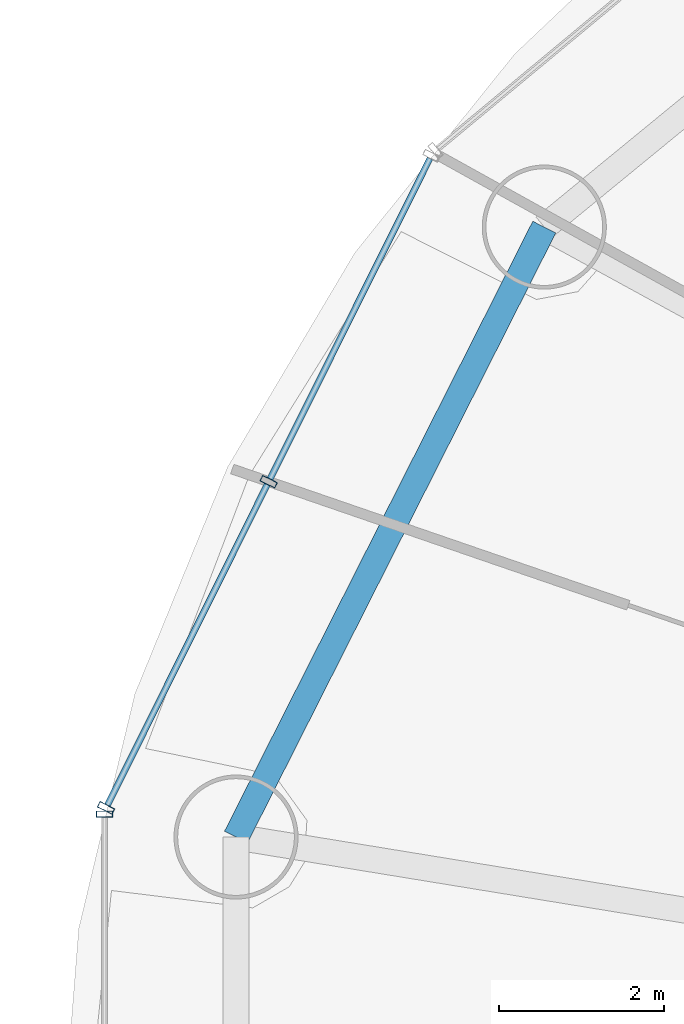
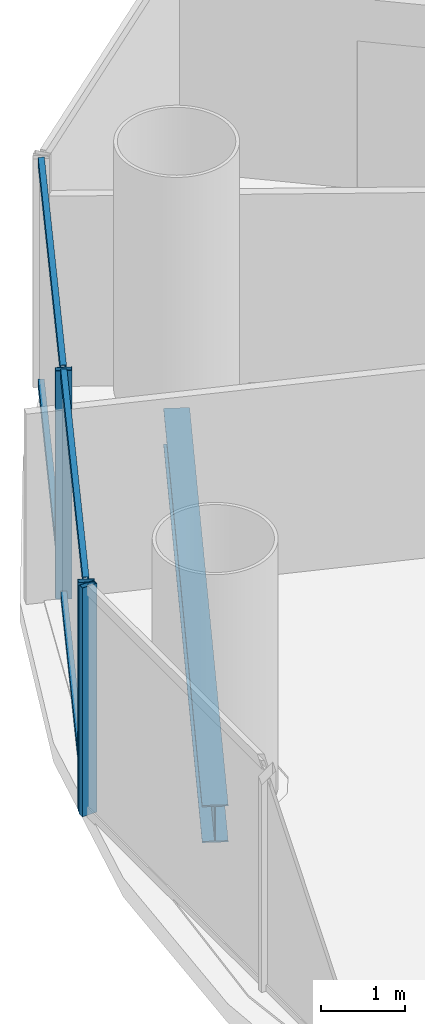
# One storey, part 9 of 29: 7 members, 1 beam, 2 elements without a shape of their own.
"""IFC4 building model written with IfcOpenShell, lengths in metres."""

from ifc_helpers import new_model, si_unit, direction, frame, origin, origin_2d, place, context, subcontext, project, spatial, hollow_rectangle, i_section, extrude, source, transform, mapped, material, material_profile, profile_set, type_object, element, aggregate, save


model = new_model("IFC4")

# Units and contexts
model_context = context("Model", 3, precision=1e-05, world=origin(), true_north=direction((-0.2419218956, 0.970295726276)))
body_context = subcontext(model_context, "Body", "Model", "MODEL_VIEW")
ifc_project = project(units=[si_unit("LENGTHUNIT", "METRE"), si_unit("AREAUNIT", "SQUARE_METRE"), si_unit("VOLUMEUNIT", "CUBIC_METRE"), si_unit("PLANEANGLEUNIT", "RADIAN"), si_unit("MASSUNIT", "GRAM", prefix="KILO")], contexts=[model_context])

# Site, building, storey
site_placement = place(None, origin())
site = spatial("IfcSite", under=ifc_project, at=site_placement, CompositionType="ELEMENT")
building_placement = place(site_placement, origin())
building = spatial("IfcBuilding", under=site, at=building_placement, Name="Cobrevalo Terracotta Tower", CompositionType="ELEMENT")
storey_placement = place(building_placement, frame((0.0, 0.0, 83.39990234375)))
storey = spatial("IfcBuildingStorey", under=building, at=storey_placement, Name="L21", CompositionType="ELEMENT", Elevation=83.39990234375)

# Beam
ifc_material_1 = material(Name="Steel S355", Category="steel")
ifc_material_profile_1 = material_profile(ifc_material_1, i_section(OverallWidth=0.31201171875, OverallDepth=0.54296875, WebThickness=0.0126953125, FlangeThickness=0.020263671875, at=origin_2d()), Name="W 530x150")
ifc_profile_set_1 = profile_set([ifc_material_profile_1], Name="Steel S355")
beam_type = type_object("IfcBeamType", Name="Structural Spandrel W 530x150 (Steel S355)", PredefinedType="SPANDREL", material=ifc_profile_set_1)
beam_placement = place(storey_placement, frame((17.2548828125, 38.161376953125, -0.54638671875), z_axis=(-0.451051982172, -0.892497680321, 0.0), x_axis=(0.892497680321, -0.451051982172, 0.0)))
element("IfcBeam", 1, at=beam_placement, inside=storey, type_object=beam_type, Name="L21 perimeter ring spandrel 07", PredefinedType="SPANDREL", context=body_context, shape_type="SweptSolid", body=[
    extrude(i_section(OverallWidth=0.31201171875, OverallDepth=0.54296875, WebThickness=0.0126953125, FlangeThickness=0.020263671875, at=origin_2d()), origin(), (0.0, 0.0, 1.0), 8.259765625),
])

# Curtain wall, members
ifc_material_2 = material(Name="Anodized aluminium", Category="aluminium")
curtain_wall_type = type_object("IfcCurtainWallType", Name="Lower-tower unitised acoustic low-E curtain wall CW-U1", PredefinedType="NOTDEFINED", material=ifc_material_2)
curtain_wall_1_placement = place(storey_placement, origin())
curtain_wall_1 = element("IfcCurtainWall", 2, at=curtain_wall_1_placement, inside=storey, type_object=curtain_wall_type, Name="L21 curtain wall CW-L21-S07", PredefinedType="NOTDEFINED")
ifc_material_profile_2 = material_profile(ifc_material_2, hollow_rectangle(XDim=0.074951171875, YDim=0.14990234375, WallThickness=0.00439453125, at=origin_2d()), Name="CWT 75x150")
ifc_profile_set_2 = profile_set([ifc_material_profile_2], Name="Anodized aluminium")
member_type_1 = type_object("IfcMemberType", Name="Tower unitised aluminium transom 75x150", PredefinedType="USERDEFINED", material=ifc_profile_set_2)
shared_shape_1 = source(origin(), body_context, "Body", "SweptSolid", [
    extrude(hollow_rectangle(XDim=0.074951171875, YDim=0.14990234375, WallThickness=0.00439453125, at=origin_2d()), origin(), (0.0, 0.0, 1.0), 4.324951171875),
])
member_1_placement = place(storey_placement, frame((15.8720703125, 38.98974609375, 0.050048828125), z_axis=(-0.44624238083, -0.894912139571, 0.0), x_axis=(0.894912139571, -0.44624238083, 0.0)))
member_1 = element("IfcMember", 3, at=member_1_placement, type_object=member_type_1, Name="CW-L21-S07 transom B01-T1", ObjectType="TRANSOM", PredefinedType="USERDEFINED", context=body_context, shape_type="MappedRepresentation", body=[
    mapped(shared_shape_1, transform((0.0, 0.0, 0.0), scale=1.0)),
])
member_2_placement = place(storey_placement, frame((15.8720703125, 38.98974609375, 3.275146484375), z_axis=(-0.44624238083, -0.894912139571, 0.0), x_axis=(0.894912139571, -0.44624238083, 0.0)))
member_2 = element("IfcMember", 4, at=member_2_placement, type_object=member_type_1, Name="CW-L21-S07 transom B01-T2", ObjectType="TRANSOM", PredefinedType="USERDEFINED", context=body_context, shape_type="MappedRepresentation", body=[
    mapped(shared_shape_1, transform((0.0, 0.0, 0.0), scale=1.0)),
])
member_3_placement = place(storey_placement, frame((13.90625, 35.0478515625, 0.050048828125), z_axis=(-0.446219838389, -0.894923379864, 0.0), x_axis=(0.894923379864, -0.446219838389, 0.0)))
member_3 = element("IfcMember", 5, at=member_3_placement, type_object=member_type_1, Name="CW-L21-S07 transom B02-T1", ObjectType="TRANSOM", PredefinedType="USERDEFINED", context=body_context, shape_type="MappedRepresentation", body=[
    mapped(shared_shape_1, transform((0.0, 0.0, 0.0), scale=1.0)),
])
member_4_placement = place(storey_placement, frame((13.90625, 35.0478515625, 3.275146484375), z_axis=(-0.446219838389, -0.894923379864, 0.0), x_axis=(0.894923379864, -0.446219838389, 0.0)))
member_4 = element("IfcMember", 6, at=member_4_placement, type_object=member_type_1, Name="CW-L21-S07 transom B02-T2", ObjectType="TRANSOM", PredefinedType="USERDEFINED", context=body_context, shape_type="MappedRepresentation", body=[
    mapped(shared_shape_1, transform((0.0, 0.0, 0.0), scale=1.0)),
])
ifc_material_profile_3 = material_profile(ifc_material_2, hollow_rectangle(XDim=0.074951171875, YDim=0.199951171875, WallThickness=0.0048828125, at=origin_2d()), Name="CWM 75x200")
ifc_profile_set_3 = profile_set([ifc_material_profile_3], Name="Anodized aluminium")
member_type_2 = type_object("IfcMemberType", Name="Lower/mid tower unitised mullion 75x200", PredefinedType="MULLION", material=ifc_profile_set_3)
shared_shape_2 = source(origin(), body_context, "Body", "SweptSolid", [
    extrude(hollow_rectangle(XDim=0.074951171875, YDim=0.199951171875, WallThickness=0.0048828125, at=origin_2d()), origin(), (0.0, 0.0, 1.0), 3.3251953125),
])
member_5_placement = place(storey_placement, frame((13.924072265625, 35.08349609375, 0.0), z_axis=(0.0, 0.0, 1.0), x_axis=(-0.446260290227, -0.894903208937, 0.0)))
member_5 = element("IfcMember", 7, at=member_5_placement, type_object=member_type_2, Name="CW-L21-S07 vertical mullion 02", PredefinedType="MULLION", context=body_context, shape_type="MappedRepresentation", body=[
    mapped(shared_shape_2, transform((0.0, 0.0, 0.0), scale=1.0)),
])
member_6_placement = place(storey_placement, frame((11.95849609375, 31.141357421875, 0.0), z_axis=(0.0, 0.0, 1.0), x_axis=(-0.446260290227, -0.894903208937, 0.0)))
member_6 = element("IfcMember", 8, at=member_6_placement, type_object=member_type_2, Name="CW-L21-S07 vertical mullion 03", PredefinedType="MULLION", context=body_context, shape_type="MappedRepresentation", body=[
    mapped(shared_shape_2, transform((0.0, 0.0, 0.0), scale=1.0)),
])
aggregate(curtain_wall_1, [member_5, member_6, member_1, member_2, member_3, member_4])

# Curtain wall, member
curtain_wall_2_placement = place(storey_placement, origin())
curtain_wall_2 = element("IfcCurtainWall", 9, at=curtain_wall_2_placement, inside=storey, type_object=curtain_wall_type, Name="L21 curtain wall CW-L21-S08", PredefinedType="NOTDEFINED")
member_7_placement = place(storey_placement, frame((11.9404296875, 31.065673828125, 0.0), z_axis=(0.0, 0.0, 1.0), x_axis=(0.0, -1.0, 0.0)))
member_7 = element("IfcMember", 10, at=member_7_placement, type_object=member_type_2, Name="CW-L21-S08 vertical mullion 01", PredefinedType="MULLION", context=body_context, shape_type="MappedRepresentation", body=[
    mapped(shared_shape_2, transform((0.0, 0.0, 0.0), scale=1.0)),
])
aggregate(curtain_wall_2, [member_7])

save(model, "model.ifc")
